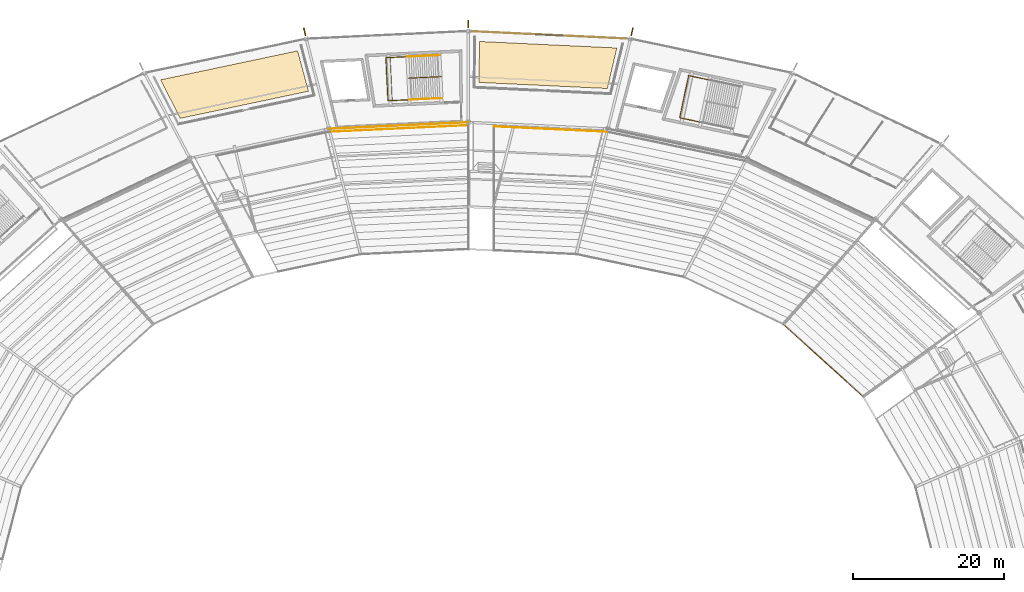
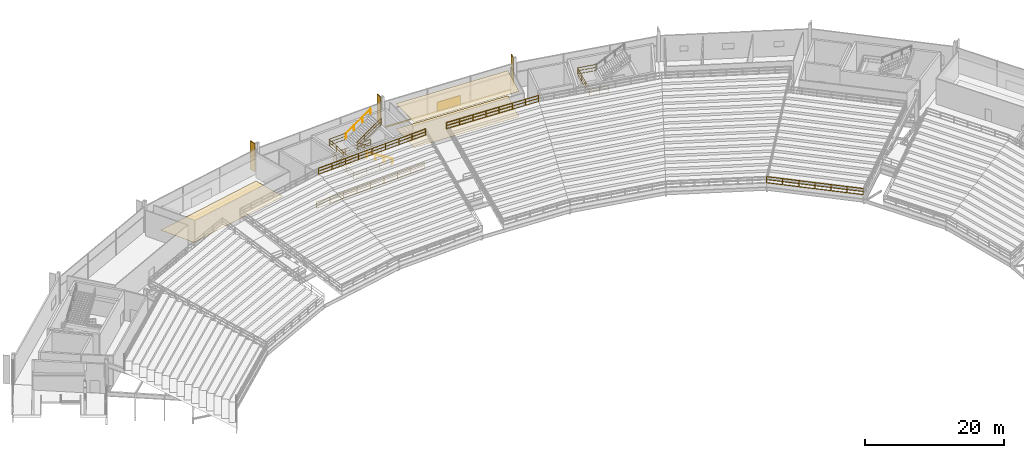
# One storey, part 184 of 186: 10 railings, 4 coverings, 4 shading devices.
"""IFC4 building model written with IfcOpenShell, lengths in metres."""

from ifc_helpers import new_model, si_unit, direction, frame, origin, origin_2d, place, context, subcontext, project, spatial, polyline, rectangle, outline, extrude, material, layer, layer_set, type_object, element, save


model = new_model("IFC4")

# Units and contexts
model_context = context("Model", 3, precision=1e-05, world=origin(), true_north=direction((0.0, 1.0)))
body_context = subcontext(model_context, "Body", "Model", "MODEL_VIEW")
ifc_project = project(units=[si_unit("LENGTHUNIT", "METRE"), si_unit("AREAUNIT", "SQUARE_METRE"), si_unit("VOLUMEUNIT", "CUBIC_METRE"), si_unit("PLANEANGLEUNIT", "RADIAN"), si_unit("MASSUNIT", "GRAM", prefix="KILO")], contexts=[model_context])

# Site, building, storey
site_placement = place(None, origin())
site = spatial("IfcSite", under=ifc_project, at=site_placement, CompositionType="ELEMENT")
building_placement = place(site_placement, origin())
building = spatial("IfcBuilding", under=site, at=building_placement, Name="Kazemori Nagisa Stadium", CompositionType="ELEMENT")
storey_placement = place(building_placement, frame((0.0, 0.0, 20.39990234375)))
storey = spatial("IfcBuildingStorey", under=building, at=storey_placement, Name="L04", CompositionType="ELEMENT", Elevation=20.39990234375)

# Coverings
ifc_material_1 = material(Name="Mineral-fibre acoustic board", Category="gypsum")
ifc_layer_1 = layer(ifc_material_1, 0.02001953125, Name="Mineral-fibre acoustic board", Category="gypsum")
ifc_layer_set_1 = layer_set([ifc_layer_1], Name="Mineral-fibre acoustic board")
covering_type_1 = type_object("IfcCoveringType", Name="Cov_CEIL", PredefinedType="CEILING", material=ifc_layer_set_1)
covering_1_placement = place(storey_placement, frame((0.0, 0.0, 4.4501953125)))
element("IfcCovering", 1, at=covering_1_placement, inside=storey, type_object=covering_type_1, Name="Acoustic ceiling L04-B07", PredefinedType="CEILING", context=body_context, shape_type="SweptSolid", body=[
    extrude(outline(polyline([(141.373291015625, 180.42333984375), (124.383056640625, 181.2265625), (124.4775390625, 186.64013671875), (142.62890625, 185.781982421875), (141.373291015625, 180.42333984375)])), origin(), (0.0, 0.0, 1.0), 0.02001953125),
])
ifc_material_2 = material(Name="Porcelain stoneware tile", Category="masonry")
ifc_layer_2 = layer(ifc_material_2, 0.02490234375, Name="Porcelain stoneware tile", Category="masonry")
ifc_layer_set_2 = layer_set([ifc_layer_2], Name="Porcelain stoneware tile")
covering_type_2 = type_object("IfcCoveringType", Name="Cov_FLOOR", PredefinedType="FLOORING", material=ifc_layer_set_2)
covering_2_placement = place(storey_placement, origin())
element("IfcCovering", 2, at=covering_2_placement, inside=storey, type_object=covering_type_2, Name="Porcelain floor finish L04-B07", PredefinedType="FLOORING", context=body_context, shape_type="SweptSolid", body=[
    extrude(outline(polyline([(141.373291015625, 180.42333984375), (124.383056640625, 181.2265625), (124.4775390625, 186.64013671875), (142.62890625, 185.781982421875), (141.373291015625, 180.42333984375)])), origin(), (0.0, 0.0, 1.0), 0.025146484375),
])
covering_3_placement = place(storey_placement, origin())
element("IfcCovering", 3, at=covering_3_placement, inside=storey, type_object=covering_type_2, Name="Porcelain floor finish L04-B09", PredefinedType="FLOORING", context=body_context, shape_type="SweptSolid", body=[
    extrude(outline(polyline([(101.864013671875, 180.06591796875), (84.913818359375, 176.47998046875), (82.311279296875, 181.569091796875), (100.419677734375, 185.400146484375), (101.864013671875, 180.06591796875)])), origin(), (0.0, 0.0, 1.0), 0.025146484375),
])
ifc_material_3 = material(Name="Anodised aluminium 6063-T5", Category="aluminium")
ifc_layer_3 = layer(ifc_material_3, 0.034912109375, Name="Anodised aluminium 6063-T5", Category="aluminium")
ifc_layer_set_3 = layer_set([ifc_layer_3], Name="Anodised aluminium 6063-T5")
covering_type_3 = type_object("IfcCoveringType", Name="Covering_CLAD", PredefinedType="CLADDING", material=ifc_layer_set_3)
covering_4_placement = place(storey_placement, frame((133.7138671875, 187.493408203125, -0.259765625), z_axis=(0.0, 0.0, 1.0), x_axis=(-0.998884022476, 0.047230388971, 0.0)))
element("IfcCovering", 4, at=covering_4_placement, inside=storey, type_object=covering_type_3, Name="Anodised fascia cladding L04-B07", PredefinedType="CLADDING", context=body_context, shape_type="SweptSolid", body=[
    extrude(rectangle(XDim=20.3515625, YDim=0.0400390625, at=origin_2d()), origin(), (0.0, 0.0, 1.0), 0.260009765625),
])

# Shading devices
ifc_material_4 = material(Name="Aluminium 6063-T5 anodised", Category="aluminium")
shading_device_type_1 = type_object("IfcShadingDeviceType", Name="Fin_FN03", PredefinedType="USERDEFINED", material=ifc_material_4)
for number, where, z_axis, x_axis, name in (
    (5, (144.64013671875, 187.91796875, 0.0), (0.0, 0.0, 1.0), (0.222520933954, 0.974927912182, 0.0), "Aerodynamic wave shading fin L04-07"),
    (6, (123.0, 188.955078125, 0.0), (0.0, 0.0, 1.0), (0.0, 1.0, 0.0), "Aerodynamic wave shading fin L04-08"),
    (7, (101.35986328125, 187.91796875, 0.0), (0.0, 0.0, 1.0), (-0.222520933954, 0.974927912182, 0.0), "Aerodynamic wave shading fin L04-09"),
):
    element("IfcShadingDevice", number, at=place(storey_placement, frame(where, z_axis=z_axis, x_axis=x_axis)), inside=storey, type_object=shading_device_type_1, Name=name, ObjectType="FIN", PredefinedType="USERDEFINED", context=body_context, shape_type="SweptSolid", body=[
        extrude(rectangle(XDim=1.050048828125, YDim=0.139892578125, at=origin_2d()), origin(), (0.0, 0.0, 1.0), 5.0),
    ])
shading_device_type_2 = type_object("IfcShadingDeviceType", Name="Louvre_LV02", PredefinedType="JALOUSIE", material=ifc_material_4)
shading_device_placement = place(storey_placement, frame((133.7138671875, 187.493408203125, -0.010009765625), z_axis=(0.0, 0.0, 1.0), x_axis=(-0.998884022476, 0.047230388971, 0.0)))
element("IfcShadingDevice", 8, at=shading_device_placement, inside=storey, type_object=shading_device_type_2, Name="Concourse ventilation louvre L04-B07", PredefinedType="JALOUSIE", context=body_context, shape_type="SweptSolid", body=[
    extrude(rectangle(XDim=3.800048828125, YDim=0.179931640625, at=origin_2d()), origin(), (0.0, 0.0, 1.0), 1.60009765625),
])

# Railings
ifc_material_5 = material(Name="Laminated safety glass and stainless steel SUS304", Category="steel")
railing_type_1 = type_object("IfcRailingType", Name="Rail_BAL", PredefinedType="BALUSTRADE", material=ifc_material_5)
railing_1_placement = place(storey_placement, frame((123.0, 175.9599609375, 0.0)))
element("IfcRailing", 9, at=railing_1_placement, inside=storey, type_object=railing_type_1, Name="Upper concourse balustrade L04-B08", PredefinedType="BALUSTRADE", context=body_context, shape_type="SweptSolid", body=[
    extrude(rectangle(XDim=0.050048828125, YDim=0.050048828125, at=origin_2d()), frame((0.0, 0.0, 1.09521484375), z_axis=(-0.9988839804, -0.047231278829, 0.0), x_axis=(0.047231278829, -0.9988839804, 0.0)), (0.0, 0.0, 1.0), 18.4482421875),
    extrude(rectangle(XDim=0.03759765625, YDim=0.03759765625, at=origin_2d()), frame((0.0, 0.0, 0.58251953125), z_axis=(-0.9988839804, -0.047231278829, 0.0), x_axis=(0.047231278829, -0.9988839804, 0.0)), (0.0, 0.0, 1.0), 18.4482421875),
    extrude(rectangle(XDim=0.03759765625, YDim=0.03759765625, at=origin_2d()), frame((0.0, 0.0, 0.02490234375), z_axis=(-0.9988839804, -0.047231278829, 0.0), x_axis=(0.047231278829, -0.9988839804, 0.0)), (0.0, 0.0, 1.0), 18.4482421875),
    extrude(rectangle(XDim=0.044921875, YDim=0.044921875, at=origin_2d()), origin(), (0.0, 0.0, 1.0), 1.070068359375),
    extrude(rectangle(XDim=0.044921875, YDim=0.044921875, at=origin_2d()), frame((-2.303466796875, -0.10888671875, 0.0)), (0.0, 0.0, 1.0), 1.070068359375),
    extrude(rectangle(XDim=0.044921875, YDim=0.044921875, at=origin_2d()), frame((-4.60693359375, -0.2177734375, 0.0)), (0.0, 0.0, 1.0), 1.070068359375),
    extrude(rectangle(XDim=0.044921875, YDim=0.044921875, at=origin_2d()), frame((-6.910400390625, -0.32666015625, 0.0)), (0.0, 0.0, 1.0), 1.070068359375),
    extrude(rectangle(XDim=0.044921875, YDim=0.044921875, at=origin_2d()), frame((-9.2138671875, -0.435546875, 0.0)), (0.0, 0.0, 1.0), 1.070068359375),
    extrude(rectangle(XDim=0.044921875, YDim=0.044921875, at=origin_2d()), frame((-11.517333984375, -0.544677734375, 0.0)), (0.0, 0.0, 1.0), 1.070068359375),
    extrude(rectangle(XDim=0.044921875, YDim=0.044921875, at=origin_2d()), frame((-13.82080078125, -0.653564453125, 0.0)), (0.0, 0.0, 1.0), 1.070068359375),
    extrude(rectangle(XDim=0.044921875, YDim=0.044921875, at=origin_2d()), frame((-16.124267578125, -0.762451171875, 0.0)), (0.0, 0.0, 1.0), 1.070068359375),
    extrude(rectangle(XDim=0.044921875, YDim=0.044921875, at=origin_2d()), frame((-18.427734375, -0.871337890625, 0.0)), (0.0, 0.0, 1.0), 1.070068359375),
])
ifc_material_6 = material(Name="Galvanised powder-coated steel", Category="steel")
railing_type_2 = type_object("IfcRailingType", Name="Rail_GUARD", PredefinedType="GUARDRAIL", material=ifc_material_6)
railing_2_placement = place(storey_placement, frame((153.725830078125, 175.965087890625, 2.72021484375)))
element("IfcRailing", 10, at=railing_2_placement, inside=storey, type_object=railing_type_2, Name="Stair landing guard ST11-L04", PredefinedType="GUARDRAIL", context=body_context, shape_type="SweptSolid", body=[
    extrude(rectangle(XDim=0.050048828125, YDim=0.050048828125, at=origin_2d()), frame((0.0, 0.0, 1.09521484375), z_axis=(-0.978349369565, 0.206960167837, 0.0), x_axis=(-0.206960167837, -0.978349369565, 0.0)), (0.0, 0.0, 1.0), 2.85009765625),
    extrude(rectangle(XDim=0.03759765625, YDim=0.03759765625, at=origin_2d()), frame((0.0, 0.0, 0.58251953125), z_axis=(-0.978349369565, 0.206960167837, 0.0), x_axis=(-0.206960167837, -0.978349369565, 0.0)), (0.0, 0.0, 1.0), 2.85009765625),
    extrude(rectangle(XDim=0.03759765625, YDim=0.03759765625, at=origin_2d()), frame((0.0, 0.0, 0.02490234375), z_axis=(-0.978349369565, 0.206960167837, 0.0), x_axis=(-0.206960167837, -0.978349369565, 0.0)), (0.0, 0.0, 1.0), 2.85009765625),
    extrude(rectangle(XDim=0.050048828125, YDim=0.050048828125, at=origin_2d()), frame((-2.788330078125, 0.58984375, 1.09521484375), z_axis=(0.206960167837, 0.978349369565, 0.0), x_axis=(-0.978349369565, 0.206960167837, 0.0)), (0.0, 0.0, 1.0), 5.699951171875),
    extrude(rectangle(XDim=0.03759765625, YDim=0.03759765625, at=origin_2d()), frame((-2.788330078125, 0.58984375, 0.58251953125), z_axis=(0.206960167837, 0.978349369565, 0.0), x_axis=(-0.978349369565, 0.206960167837, 0.0)), (0.0, 0.0, 1.0), 5.699951171875),
    extrude(rectangle(XDim=0.03759765625, YDim=0.03759765625, at=origin_2d()), frame((-2.788330078125, 0.58984375, 0.02490234375), z_axis=(0.206960167837, 0.978349369565, 0.0), x_axis=(-0.978349369565, 0.206960167837, 0.0)), (0.0, 0.0, 1.0), 5.699951171875),
    extrude(rectangle(XDim=0.050048828125, YDim=0.050048828125, at=origin_2d()), frame((-1.608642578125, 6.16650390625, 1.09521484375), z_axis=(0.978349369565, -0.206960167837, 0.0), x_axis=(0.206960167837, 0.978349369565, 0.0)), (0.0, 0.0, 1.0), 2.85009765625),
    extrude(rectangle(XDim=0.03759765625, YDim=0.03759765625, at=origin_2d()), frame((-1.608642578125, 6.16650390625, 0.58251953125), z_axis=(0.978349369565, -0.206960167837, 0.0), x_axis=(0.206960167837, 0.978349369565, 0.0)), (0.0, 0.0, 1.0), 2.85009765625),
    extrude(rectangle(XDim=0.03759765625, YDim=0.03759765625, at=origin_2d()), frame((-1.608642578125, 6.16650390625, 0.02490234375), z_axis=(0.978349369565, -0.206960167837, 0.0), x_axis=(0.206960167837, 0.978349369565, 0.0)), (0.0, 0.0, 1.0), 2.85009765625),
    extrude(rectangle(XDim=0.044921875, YDim=0.044921875, at=origin_2d()), origin(), (0.0, 0.0, 1.0), 1.070068359375),
    extrude(rectangle(XDim=0.044921875, YDim=0.044921875, at=origin_2d()), frame((-1.39404296875, 0.294921875, 0.0)), (0.0, 0.0, 1.0), 1.070068359375),
    extrude(rectangle(XDim=0.044921875, YDim=0.044921875, at=origin_2d()), frame((-2.788330078125, 0.58984375, 0.0)), (0.0, 0.0, 1.0), 1.070068359375),
    extrude(rectangle(XDim=0.044921875, YDim=0.044921875, at=origin_2d()), frame((-2.39501953125, 2.44873046875, 0.0)), (0.0, 0.0, 1.0), 1.070068359375),
    extrude(rectangle(XDim=0.044921875, YDim=0.044921875, at=origin_2d()), frame((-2.001953125, 4.3076171875, 0.0)), (0.0, 0.0, 1.0), 1.070068359375),
    extrude(rectangle(XDim=0.044921875, YDim=0.044921875, at=origin_2d()), frame((-1.608642578125, 6.16650390625, 0.0)), (0.0, 0.0, 1.0), 1.070068359375),
    extrude(rectangle(XDim=0.044921875, YDim=0.044921875, at=origin_2d()), frame((-0.21435546875, 5.87158203125, 0.0)), (0.0, 0.0, 1.0), 1.070068359375),
    extrude(rectangle(XDim=0.044921875, YDim=0.044921875, at=origin_2d()), frame((1.1796875, 5.57666015625, 0.0)), (0.0, 0.0, 1.0), 1.070068359375),
])
railing_3_placement = place(storey_placement, frame((119.452392578125, 179.138427734375, 0.0)))
element("IfcRailing", 11, at=railing_3_placement, inside=storey, type_object=railing_type_2, Name="Stair well perimeter guard ST05-L04", PredefinedType="GUARDRAIL", context=body_context, shape_type="SweptSolid", body=[
    extrude(rectangle(XDim=0.050048828125, YDim=0.050048828125, at=origin_2d()), frame((0.0, 0.0, 1.09521484375), z_axis=(-0.998884501037, -0.047220266718, 0.0), x_axis=(0.047220266718, -0.998884501037, 0.0)), (0.0, 0.0, 1.0), 6.52490234375),
    extrude(rectangle(XDim=0.03759765625, YDim=0.03759765625, at=origin_2d()), frame((0.0, 0.0, 0.58251953125), z_axis=(-0.998884501037, -0.047220266718, 0.0), x_axis=(0.047220266718, -0.998884501037, 0.0)), (0.0, 0.0, 1.0), 6.52490234375),
    extrude(rectangle(XDim=0.03759765625, YDim=0.03759765625, at=origin_2d()), frame((0.0, 0.0, 0.02490234375), z_axis=(-0.998884501037, -0.047220266718, 0.0), x_axis=(0.047220266718, -0.998884501037, 0.0)), (0.0, 0.0, 1.0), 6.52490234375),
    extrude(rectangle(XDim=0.050048828125, YDim=0.050048828125, at=origin_2d()), frame((-6.517578125, -0.30810546875, 1.09521484375), z_axis=(-0.047243616775, 0.998883396936, 0.0), x_axis=(-0.998883396936, -0.047243616775, 0.0)), (0.0, 0.0, 1.0), 5.699951171875),
    extrude(rectangle(XDim=0.03759765625, YDim=0.03759765625, at=origin_2d()), frame((-6.517578125, -0.30810546875, 0.58251953125), z_axis=(-0.047243616775, 0.998883396936, 0.0), x_axis=(-0.998883396936, -0.047243616775, 0.0)), (0.0, 0.0, 1.0), 5.699951171875),
    extrude(rectangle(XDim=0.03759765625, YDim=0.03759765625, at=origin_2d()), frame((-6.517578125, -0.30810546875, 0.02490234375), z_axis=(-0.047243616775, 0.998883396936, 0.0), x_axis=(-0.998883396936, -0.047243616775, 0.0)), (0.0, 0.0, 1.0), 5.699951171875),
    extrude(rectangle(XDim=0.050048828125, YDim=0.050048828125, at=origin_2d()), frame((-6.786865234375, 5.385498046875, 1.09521484375), z_axis=(0.998882735472, 0.047257600199, 0.0), x_axis=(-0.047257600199, 0.998882735472, 0.0)), (0.0, 0.0, 1.0), 6.52490234375),
    extrude(rectangle(XDim=0.03759765625, YDim=0.03759765625, at=origin_2d()), frame((-6.786865234375, 5.385498046875, 0.58251953125), z_axis=(0.998882735472, 0.047257600199, 0.0), x_axis=(-0.047257600199, 0.998882735472, 0.0)), (0.0, 0.0, 1.0), 6.52490234375),
    extrude(rectangle(XDim=0.03759765625, YDim=0.03759765625, at=origin_2d()), frame((-6.786865234375, 5.385498046875, 0.02490234375), z_axis=(0.998882735472, 0.047257600199, 0.0), x_axis=(-0.047257600199, 0.998882735472, 0.0)), (0.0, 0.0, 1.0), 6.52490234375),
    extrude(rectangle(XDim=0.044921875, YDim=0.044921875, at=origin_2d()), origin(), (0.0, 0.0, 1.0), 1.070068359375),
    extrude(rectangle(XDim=0.044921875, YDim=0.044921875, at=origin_2d()), frame((-2.172607421875, -0.102783203125, 0.0)), (0.0, 0.0, 1.0), 1.070068359375),
    extrude(rectangle(XDim=0.044921875, YDim=0.044921875, at=origin_2d()), frame((-4.344970703125, -0.205322265625, 0.0)), (0.0, 0.0, 1.0), 1.070068359375),
    extrude(rectangle(XDim=0.044921875, YDim=0.044921875, at=origin_2d()), frame((-6.517578125, -0.30810546875, 0.0)), (0.0, 0.0, 1.0), 1.070068359375),
    extrude(rectangle(XDim=0.044921875, YDim=0.044921875, at=origin_2d()), frame((-6.607421875, 1.58984375, 0.0)), (0.0, 0.0, 1.0), 1.070068359375),
    extrude(rectangle(XDim=0.044921875, YDim=0.044921875, at=origin_2d()), frame((-6.697021484375, 3.487548828125, 0.0)), (0.0, 0.0, 1.0), 1.070068359375),
    extrude(rectangle(XDim=0.044921875, YDim=0.044921875, at=origin_2d()), frame((-6.786865234375, 5.385498046875, 0.0)), (0.0, 0.0, 1.0), 1.070068359375),
    extrude(rectangle(XDim=0.044921875, YDim=0.044921875, at=origin_2d()), frame((-4.6142578125, 5.48828125, 0.0)), (0.0, 0.0, 1.0), 1.070068359375),
    extrude(rectangle(XDim=0.044921875, YDim=0.044921875, at=origin_2d()), frame((-2.44189453125, 5.591064453125, 0.0)), (0.0, 0.0, 1.0), 1.070068359375),
    extrude(rectangle(XDim=0.044921875, YDim=0.044921875, at=origin_2d()), frame((-0.269287109375, 5.69384765625, 0.0)), (0.0, 0.0, 1.0), 1.070068359375),
])
railing_4_placement = place(storey_placement, frame((119.397705078125, 181.9892578125, 0.0)))
element("IfcRailing", 12, at=railing_4_placement, inside=storey, type_object=railing_type_2, Name="Stair central guard ST05-L04", PredefinedType="GUARDRAIL", context=body_context, shape_type="SweptSolid", body=[
    extrude(rectangle(XDim=0.050048828125, YDim=0.050048828125, at=origin_2d()), frame((0.0, 0.0, 1.09521484375), z_axis=(-0.845540579089, -0.039995335671, 0.532411027533), x_axis=(0.047248669297, -0.998883157957, 0.0)), (0.0, 0.0, 1.0), 5.109130859375),
    extrude(rectangle(XDim=0.03759765625, YDim=0.03759765625, at=origin_2d()), frame((0.0, 0.0, 0.58251953125), z_axis=(-0.845540579089, -0.039995335671, 0.532411027533), x_axis=(0.047248669297, -0.998883157957, 0.0)), (0.0, 0.0, 1.0), 5.109130859375),
    extrude(rectangle(XDim=0.03759765625, YDim=0.03759765625, at=origin_2d()), frame((0.0, 0.0, 0.02490234375), z_axis=(-0.845540579089, -0.039995335671, 0.532411027533), x_axis=(0.047248669297, -0.998883157957, 0.0)), (0.0, 0.0, 1.0), 5.109130859375),
    extrude(rectangle(XDim=0.050048828125, YDim=0.050048828125, at=origin_2d()), frame((-4.320068359375, -0.204345703125, 3.8154296875), z_axis=(0.841044817984, 0.039756897488, 0.539502551656), x_axis=(-0.047218117157, 0.99888460265, 0.0)), (0.0, 0.0, 1.0), 5.041748046875),
    extrude(rectangle(XDim=0.03759765625, YDim=0.03759765625, at=origin_2d()), frame((-4.320068359375, -0.204345703125, 3.302734375), z_axis=(0.841044817984, 0.039756897488, 0.539502551656), x_axis=(-0.047218117157, 0.99888460265, 0.0)), (0.0, 0.0, 1.0), 5.041748046875),
    extrude(rectangle(XDim=0.03759765625, YDim=0.03759765625, at=origin_2d()), frame((-4.320068359375, -0.204345703125, 2.7451171875), z_axis=(0.841044817984, 0.039756897488, 0.539502551656), x_axis=(-0.047218117157, 0.99888460265, 0.0)), (0.0, 0.0, 1.0), 5.041748046875),
    extrude(rectangle(XDim=0.044921875, YDim=0.044921875, at=origin_2d()), origin(), (0.0, 0.0, 1.0), 1.070068359375),
    extrude(rectangle(XDim=0.044921875, YDim=0.044921875, at=origin_2d()), frame((-1.43994140625, -0.068115234375, 0.90673828125)), (0.0, 0.0, 1.0), 1.070068359375),
    extrude(rectangle(XDim=0.044921875, YDim=0.044921875, at=origin_2d()), frame((-2.880126953125, -0.13623046875, 1.8134765625)), (0.0, 0.0, 1.0), 1.070068359375),
    extrude(rectangle(XDim=0.044921875, YDim=0.044921875, at=origin_2d()), frame((-4.320068359375, -0.204345703125, 2.72021484375)), (0.0, 0.0, 1.0), 1.070068359375),
    extrude(rectangle(XDim=0.044921875, YDim=0.044921875, at=origin_2d()), frame((-2.90673828125, -0.137451171875, 3.626953125)), (0.0, 0.0, 1.0), 1.070068359375),
    extrude(rectangle(XDim=0.044921875, YDim=0.044921875, at=origin_2d()), frame((-1.4931640625, -0.07080078125, 4.533447265625)), (0.0, 0.0, 1.0), 1.070068359375),
    extrude(rectangle(XDim=0.044921875, YDim=0.044921875, at=origin_2d()), frame((-0.079833984375, -0.00390625, 5.440185546875)), (0.0, 0.0, 1.0), 1.070068359375),
])
railing_5_placement = place(storey_placement, frame((115.212158203125, 178.93798828125, 2.72021484375)))
element("IfcRailing", 13, at=railing_5_placement, inside=storey, type_object=railing_type_2, Name="Stair landing guard ST05-L04", PredefinedType="GUARDRAIL", context=body_context, shape_type="SweptSolid", body=[
    extrude(rectangle(XDim=0.050048828125, YDim=0.050048828125, at=origin_2d()), frame((0.0, 0.0, 1.09521484375), z_axis=(-0.998885512722, -0.047198860948, 0.0), x_axis=(0.047198860948, -0.998885512722, 0.0)), (0.0, 0.0, 1.0), 2.85009765625),
    extrude(rectangle(XDim=0.03759765625, YDim=0.03759765625, at=origin_2d()), frame((0.0, 0.0, 0.58251953125), z_axis=(-0.998885512722, -0.047198860948, 0.0), x_axis=(0.047198860948, -0.998885512722, 0.0)), (0.0, 0.0, 1.0), 2.85009765625),
    extrude(rectangle(XDim=0.03759765625, YDim=0.03759765625, at=origin_2d()), frame((0.0, 0.0, 0.02490234375), z_axis=(-0.998885512722, -0.047198860948, 0.0), x_axis=(0.047198860948, -0.998885512722, 0.0)), (0.0, 0.0, 1.0), 2.85009765625),
    extrude(rectangle(XDim=0.050048828125, YDim=0.050048828125, at=origin_2d()), frame((-2.846923828125, -0.134521484375, 1.09521484375), z_axis=(-0.047200880317, 0.998885417301, 0.0), x_axis=(-0.998885417301, -0.047200880317, 0.0)), (0.0, 0.0, 1.0), 5.699951171875),
    extrude(rectangle(XDim=0.03759765625, YDim=0.03759765625, at=origin_2d()), frame((-2.846923828125, -0.134521484375, 0.58251953125), z_axis=(-0.047200880317, 0.998885417301, 0.0), x_axis=(-0.998885417301, -0.047200880317, 0.0)), (0.0, 0.0, 1.0), 5.699951171875),
    extrude(rectangle(XDim=0.03759765625, YDim=0.03759765625, at=origin_2d()), frame((-2.846923828125, -0.134521484375, 0.02490234375), z_axis=(-0.047200880317, 0.998885417301, 0.0), x_axis=(-0.998885417301, -0.047200880317, 0.0)), (0.0, 0.0, 1.0), 5.699951171875),
    extrude(rectangle(XDim=0.050048828125, YDim=0.050048828125, at=origin_2d()), frame((-3.115966796875, 5.55908203125, 1.09521484375), z_axis=(0.998885321869, 0.047202899858, 0.0), x_axis=(-0.047202899858, 0.998885321869, 0.0)), (0.0, 0.0, 1.0), 2.849853515625),
    extrude(rectangle(XDim=0.03759765625, YDim=0.03759765625, at=origin_2d()), frame((-3.115966796875, 5.55908203125, 0.58251953125), z_axis=(0.998885321869, 0.047202899858, 0.0), x_axis=(-0.047202899858, 0.998885321869, 0.0)), (0.0, 0.0, 1.0), 2.849853515625),
    extrude(rectangle(XDim=0.03759765625, YDim=0.03759765625, at=origin_2d()), frame((-3.115966796875, 5.55908203125, 0.02490234375), z_axis=(0.998885321869, 0.047202899858, 0.0), x_axis=(-0.047202899858, 0.998885321869, 0.0)), (0.0, 0.0, 1.0), 2.849853515625),
    extrude(rectangle(XDim=0.044921875, YDim=0.044921875, at=origin_2d()), origin(), (0.0, 0.0, 1.0), 1.070068359375),
    extrude(rectangle(XDim=0.044921875, YDim=0.044921875, at=origin_2d()), frame((-1.42333984375, -0.0673828125, 0.0)), (0.0, 0.0, 1.0), 1.070068359375),
    extrude(rectangle(XDim=0.044921875, YDim=0.044921875, at=origin_2d()), frame((-2.846923828125, -0.134521484375, 0.0)), (0.0, 0.0, 1.0), 1.070068359375),
    extrude(rectangle(XDim=0.044921875, YDim=0.044921875, at=origin_2d()), frame((-2.9365234375, 1.763427734375, 0.0)), (0.0, 0.0, 1.0), 1.070068359375),
    extrude(rectangle(XDim=0.044921875, YDim=0.044921875, at=origin_2d()), frame((-3.0263671875, 3.6611328125, 0.0)), (0.0, 0.0, 1.0), 1.070068359375),
    extrude(rectangle(XDim=0.044921875, YDim=0.044921875, at=origin_2d()), frame((-3.115966796875, 5.55908203125, 0.0)), (0.0, 0.0, 1.0), 1.070068359375),
    extrude(rectangle(XDim=0.044921875, YDim=0.044921875, at=origin_2d()), frame((-1.692626953125, 5.62646484375, 0.0)), (0.0, 0.0, 1.0), 1.070068359375),
    extrude(rectangle(XDim=0.044921875, YDim=0.044921875, at=origin_2d()), frame((-0.269287109375, 5.693603515625, 0.0)), (0.0, 0.0, 1.0), 1.070068359375),
])
railing_6_placement = place(storey_placement, frame((175.199462890625, 139.68408203125, -0.8798828125)))
element("IfcRailing", 14, at=railing_6_placement, inside=storey, type_object=railing_type_2, Name="Upper tier front crowd barrier B04", PredefinedType="GUARDRAIL", context=body_context, shape_type="SweptSolid", body=[
    extrude(rectangle(XDim=0.050048828125, YDim=0.050048828125, at=origin_2d()), frame((0.0, 0.0, 1.09521484375), z_axis=(-0.7413568829, 0.671110998402, 0.0), x_axis=(-0.671110998402, -0.7413568829, 0.0)), (0.0, 0.0, 1.0), 14.260009765625),
    extrude(rectangle(XDim=0.03759765625, YDim=0.03759765625, at=origin_2d()), frame((0.0, 0.0, 0.58251953125), z_axis=(-0.7413568829, 0.671110998402, 0.0), x_axis=(-0.671110998402, -0.7413568829, 0.0)), (0.0, 0.0, 1.0), 14.260009765625),
    extrude(rectangle(XDim=0.03759765625, YDim=0.03759765625, at=origin_2d()), frame((0.0, 0.0, 0.02490234375), z_axis=(-0.7413568829, 0.671110998402, 0.0), x_axis=(-0.671110998402, -0.7413568829, 0.0)), (0.0, 0.0, 1.0), 14.260009765625),
    extrude(rectangle(XDim=0.044921875, YDim=0.044921875, at=origin_2d()), origin(), (0.0, 0.0, 1.0), 1.070068359375),
    extrude(rectangle(XDim=0.044921875, YDim=0.044921875, at=origin_2d()), frame((-1.761962890625, 1.594970703125, 0.0)), (0.0, 0.0, 1.0), 1.070068359375),
    extrude(rectangle(XDim=0.044921875, YDim=0.044921875, at=origin_2d()), frame((-3.52392578125, 3.18994140625, 0.0)), (0.0, 0.0, 1.0), 1.070068359375),
    extrude(rectangle(XDim=0.044921875, YDim=0.044921875, at=origin_2d()), frame((-5.285888671875, 4.78515625, 0.0)), (0.0, 0.0, 1.0), 1.070068359375),
    extrude(rectangle(XDim=0.044921875, YDim=0.044921875, at=origin_2d()), frame((-7.0478515625, 6.380126953125, 0.0)), (0.0, 0.0, 1.0), 1.070068359375),
    extrude(rectangle(XDim=0.044921875, YDim=0.044921875, at=origin_2d()), frame((-8.809814453125, 7.97509765625, 0.0)), (0.0, 0.0, 1.0), 1.070068359375),
    extrude(rectangle(XDim=0.044921875, YDim=0.044921875, at=origin_2d()), frame((-10.57177734375, 9.570068359375, 0.0)), (0.0, 0.0, 1.0), 1.070068359375),
])
railing_7_placement = place(storey_placement, frame((141.329345703125, 174.69775390625, 6.16015625)))
element("IfcRailing", 15, at=railing_7_placement, inside=storey, type_object=railing_type_2, Name="Upper tier rear guard B07", PredefinedType="GUARDRAIL", context=body_context, shape_type="SweptSolid", body=[
    extrude(rectangle(XDim=0.050048828125, YDim=0.050048828125, at=origin_2d()), frame((0.0, 0.0, 1.09521484375), z_axis=(-0.998884116094, 0.047228408981, 0.0), x_axis=(-0.047228408981, -0.998884116094, 0.0)), (0.0, 0.0, 1.0), 14.94970703125),
    extrude(rectangle(XDim=0.03759765625, YDim=0.03759765625, at=origin_2d()), frame((0.0, 0.0, 0.58251953125), z_axis=(-0.998884116094, 0.047228408981, 0.0), x_axis=(-0.047228408981, -0.998884116094, 0.0)), (0.0, 0.0, 1.0), 14.94970703125),
    extrude(rectangle(XDim=0.03759765625, YDim=0.03759765625, at=origin_2d()), frame((0.0, 0.0, 0.02490234375), z_axis=(-0.998884116094, 0.047228408981, 0.0), x_axis=(-0.047228408981, -0.998884116094, 0.0)), (0.0, 0.0, 1.0), 14.94970703125),
    extrude(rectangle(XDim=0.044921875, YDim=0.044921875, at=origin_2d()), origin(), (0.0, 0.0, 1.0), 1.070068359375),
    extrude(rectangle(XDim=0.044921875, YDim=0.044921875, at=origin_2d()), frame((-2.13330078125, 0.100830078125, 0.0)), (0.0, 0.0, 1.0), 1.070068359375),
    extrude(rectangle(XDim=0.044921875, YDim=0.044921875, at=origin_2d()), frame((-4.2666015625, 0.20166015625, 0.0)), (0.0, 0.0, 1.0), 1.070068359375),
    extrude(rectangle(XDim=0.044921875, YDim=0.044921875, at=origin_2d()), frame((-6.39990234375, 0.302490234375, 0.0)), (0.0, 0.0, 1.0), 1.070068359375),
    extrude(rectangle(XDim=0.044921875, YDim=0.044921875, at=origin_2d()), frame((-8.533203125, 0.403564453125, 0.0)), (0.0, 0.0, 1.0), 1.070068359375),
    extrude(rectangle(XDim=0.044921875, YDim=0.044921875, at=origin_2d()), frame((-10.66650390625, 0.50439453125, 0.0)), (0.0, 0.0, 1.0), 1.070068359375),
    extrude(rectangle(XDim=0.044921875, YDim=0.044921875, at=origin_2d()), frame((-12.7998046875, 0.605224609375, 0.0)), (0.0, 0.0, 1.0), 1.070068359375),
    extrude(rectangle(XDim=0.044921875, YDim=0.044921875, at=origin_2d()), frame((-14.93310546875, 0.7060546875, 0.0)), (0.0, 0.0, 1.0), 1.070068359375),
])
railing_8_placement = place(storey_placement, frame((123.0, 175.564453125, 6.16015625)))
element("IfcRailing", 16, at=railing_8_placement, inside=storey, type_object=railing_type_2, Name="Upper tier rear guard B08", PredefinedType="GUARDRAIL", context=body_context, shape_type="SweptSolid", body=[
    extrude(rectangle(XDim=0.050048828125, YDim=0.050048828125, at=origin_2d()), frame((0.0, 0.0, 1.09521484375), z_axis=(-0.99888394558, -0.047232015222, 0.0), x_axis=(0.047232015222, -0.99888394558, 0.0)), (0.0, 0.0, 1.0), 18.349853515625),
    extrude(rectangle(XDim=0.03759765625, YDim=0.03759765625, at=origin_2d()), frame((0.0, 0.0, 0.58251953125), z_axis=(-0.99888394558, -0.047232015222, 0.0), x_axis=(0.047232015222, -0.99888394558, 0.0)), (0.0, 0.0, 1.0), 18.349853515625),
    extrude(rectangle(XDim=0.03759765625, YDim=0.03759765625, at=origin_2d()), frame((0.0, 0.0, 0.02490234375), z_axis=(-0.99888394558, -0.047232015222, 0.0), x_axis=(0.047232015222, -0.99888394558, 0.0)), (0.0, 0.0, 1.0), 18.349853515625),
    extrude(rectangle(XDim=0.044921875, YDim=0.044921875, at=origin_2d()), origin(), (0.0, 0.0, 1.0), 1.070068359375),
    extrude(rectangle(XDim=0.044921875, YDim=0.044921875, at=origin_2d()), frame((-2.291259765625, -0.1083984375, 0.0)), (0.0, 0.0, 1.0), 1.070068359375),
    extrude(rectangle(XDim=0.044921875, YDim=0.044921875, at=origin_2d()), frame((-4.582275390625, -0.216796875, 0.0)), (0.0, 0.0, 1.0), 1.070068359375),
    extrude(rectangle(XDim=0.044921875, YDim=0.044921875, at=origin_2d()), frame((-6.87353515625, -0.324951171875, 0.0)), (0.0, 0.0, 1.0), 1.070068359375),
    extrude(rectangle(XDim=0.044921875, YDim=0.044921875, at=origin_2d()), frame((-9.16455078125, -0.433349609375, 0.0)), (0.0, 0.0, 1.0), 1.070068359375),
    extrude(rectangle(XDim=0.044921875, YDim=0.044921875, at=origin_2d()), frame((-11.455810546875, -0.541748046875, 0.0)), (0.0, 0.0, 1.0), 1.070068359375),
    extrude(rectangle(XDim=0.044921875, YDim=0.044921875, at=origin_2d()), frame((-13.7470703125, -0.64990234375, 0.0)), (0.0, 0.0, 1.0), 1.070068359375),
    extrude(rectangle(XDim=0.044921875, YDim=0.044921875, at=origin_2d()), frame((-16.0380859375, -0.75830078125, 0.0)), (0.0, 0.0, 1.0), 1.070068359375),
    extrude(rectangle(XDim=0.044921875, YDim=0.044921875, at=origin_2d()), frame((-18.329345703125, -0.86669921875, 0.0)), (0.0, 0.0, 1.0), 1.070068359375),
])
ifc_material_7 = material(Name="Stainless steel SUS304", Category="steel")
railing_type_3 = type_object("IfcRailingType", Name="Rail_HAND", PredefinedType="HANDRAIL", material=ifc_material_7)
railing_9_placement = place(storey_placement, frame((119.5322265625, 179.142333984375, 0.170166015625)))
element("IfcRailing", 17, at=railing_9_placement, inside=storey, type_object=railing_type_3, Name="Stair handrail ST05-L04-F1", PredefinedType="HANDRAIL", context=body_context, shape_type="SweptSolid", body=[
    extrude(rectangle(XDim=0.050048828125, YDim=0.050048828125, at=origin_2d()), frame((0.0, 0.0, 0.875), z_axis=(-0.845562090181, -0.039996353178, 0.532376787042), x_axis=(0.047248669297, -0.998883157957, 0.0)), (0.0, 0.0, 1.0), 5.109130859375),
    extrude(rectangle(XDim=0.044921875, YDim=0.044921875, at=origin_2d()), origin(), (0.0, 0.0, 1.0), 0.849853515625),
    extrude(rectangle(XDim=0.044921875, YDim=0.044921875, at=origin_2d()), frame((-1.43994140625, -0.068115234375, 0.90673828125)), (0.0, 0.0, 1.0), 0.849853515625),
    extrude(rectangle(XDim=0.044921875, YDim=0.044921875, at=origin_2d()), frame((-2.880126953125, -0.13623046875, 1.813232421875)), (0.0, 0.0, 1.0), 0.849853515625),
    extrude(rectangle(XDim=0.044921875, YDim=0.044921875, at=origin_2d()), frame((-4.320068359375, -0.204345703125, 2.719970703125)), (0.0, 0.0, 1.0), 0.849853515625),
])
railing_10_placement = place(storey_placement, frame((114.94287109375, 184.631591796875, 2.89013671875)))
element("IfcRailing", 18, at=railing_10_placement, inside=storey, type_object=railing_type_3, Name="Stair handrail ST05-L04-F2", PredefinedType="HANDRAIL", context=body_context, shape_type="SweptSolid", body=[
    extrude(rectangle(XDim=0.050048828125, YDim=0.050048828125, at=origin_2d()), frame((0.0, 0.0, 0.875), z_axis=(0.841043197801, 0.039805245773, 0.539501512362), x_axis=(-0.047275501627, 0.998881888386, 0.0)), (0.0, 0.0, 1.0), 5.041748046875),
    extrude(rectangle(XDim=0.044921875, YDim=0.044921875, at=origin_2d()), origin(), (0.0, 0.0, 1.0), 0.849853515625),
    extrude(rectangle(XDim=0.044921875, YDim=0.044921875, at=origin_2d()), frame((1.413330078125, 0.06689453125, 0.90673828125)), (0.0, 0.0, 1.0), 0.849853515625),
    extrude(rectangle(XDim=0.044921875, YDim=0.044921875, at=origin_2d()), frame((2.826904296875, 0.1337890625, 1.813232421875)), (0.0, 0.0, 1.0), 0.849853515625),
    extrude(rectangle(XDim=0.044921875, YDim=0.044921875, at=origin_2d()), frame((4.240234375, 0.20068359375, 2.719970703125)), (0.0, 0.0, 1.0), 0.849853515625),
])

save(model, "model.ifc")
